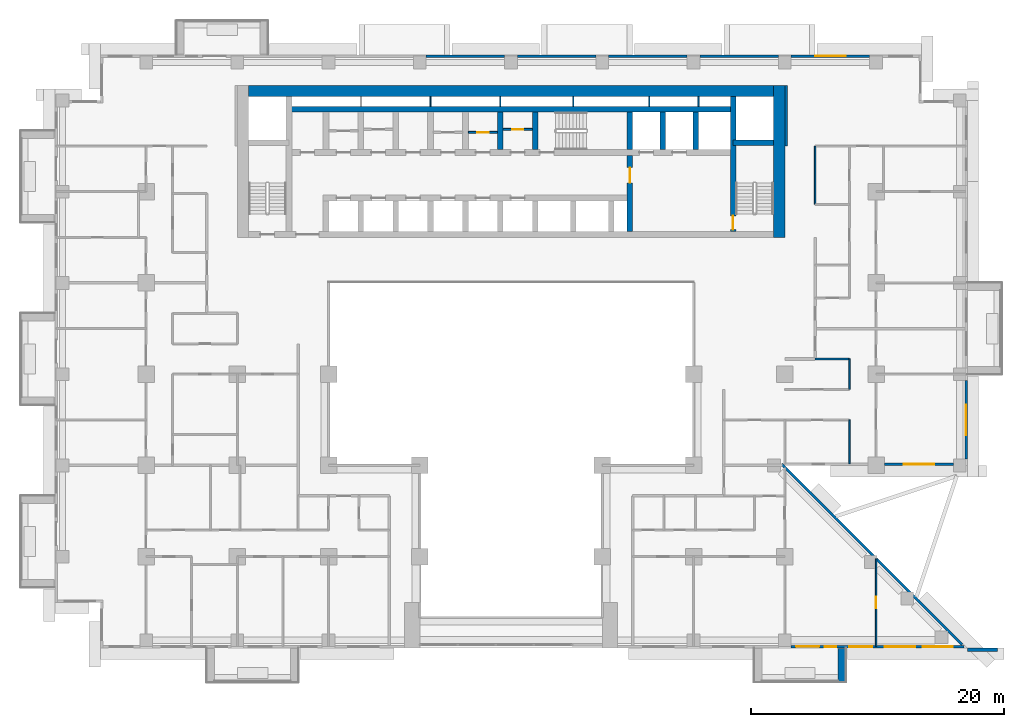
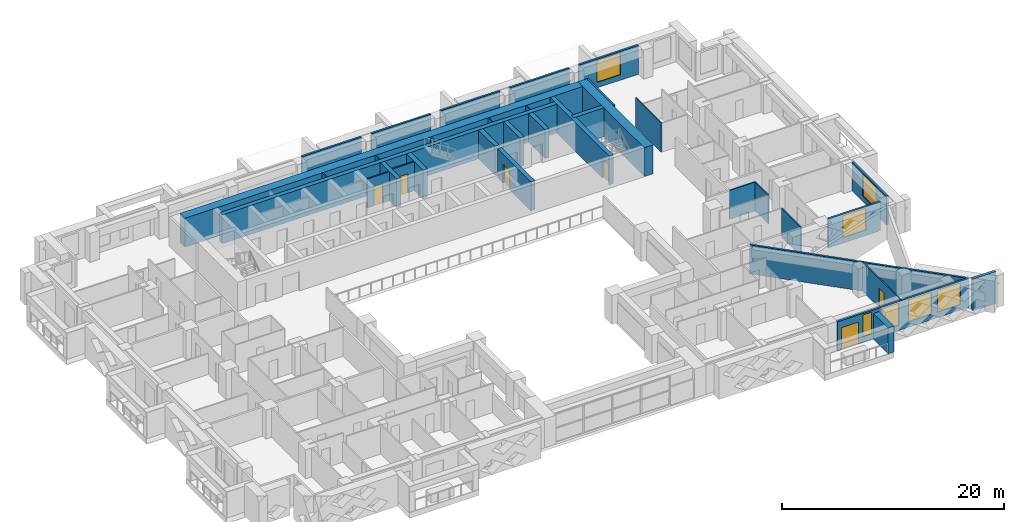
# One storey, part 11 of 17: 35 walls, 7 windows, 6 doors, 13 openings.
"""IFC4 building model written with IfcOpenShell, lengths in metres."""

from ifc_helpers import new_model, si_unit, direction, frame, frame_2d, origin, place, context, subcontext, project, spatial, rectangle, extrude, material, layer, layer_set, type_object, element, fill, save


model = new_model("IFC4")

# Units and contexts
model_context = context("Model", 3, precision=1e-05, world=origin(), true_north=direction((0.0, 1.0)))
body_context = subcontext(model_context, "Body", "Model", "MODEL_VIEW")
ifc_project = project(units=[si_unit("LENGTHUNIT", "METRE"), si_unit("AREAUNIT", "SQUARE_METRE"), si_unit("VOLUMEUNIT", "CUBIC_METRE"), si_unit("PLANEANGLEUNIT", "RADIAN"), si_unit("MASSUNIT", "GRAM", prefix="KILO")], contexts=[model_context])

# Site, building, storey
site_placement = place(None, origin())
site = spatial("IfcSite", under=ifc_project, at=site_placement, CompositionType="ELEMENT")
building_placement = place(site_placement, origin())
building = spatial("IfcBuilding", under=site, at=building_placement, Name="Saffron Iwan Residences", CompositionType="ELEMENT")
storey_placement = place(building_placement, frame((0.0, 0.0, 86.5)))
storey = spatial("IfcBuildingStorey", under=building, at=storey_placement, Name="L22", CompositionType="ELEMENT", Elevation=86.5)

# Wall
ifc_material_1 = material(Name="Concrete C50/60 white painted", Category="concrete")
ifc_layer_1 = layer(ifc_material_1, 0.60009765625)
ifc_layer_set_1 = layer_set([ifc_layer_1], Name="Concrete C50/60 white painted")
wall_type_1 = type_object("IfcWallType", Name="BALCONY FIN 600", PredefinedType="SOLIDWALL", material=ifc_layer_set_1)
wall_1_placement = place(storey_placement, frame((76.5, 33.550048828125, 0.0), z_axis=(0.0, 0.0, 1.0), x_axis=(0.0, -1.0, 0.0)))
element("IfcWall", 1, at=wall_1_placement, inside=storey, type_object=wall_type_1, Name="Balcony fin L22 11-1b", PredefinedType="SOLIDWALL", context=body_context, shape_type="SweptSolid", body=[
    extrude(rectangle(XDim=2.650146484375, YDim=0.60009765625, at=frame_2d((1.3251953125, 0.0))), origin(), (0.0, 0.0, 1.0), 2.85009765625),
])

# Wall, opening, door
ifc_material_2 = material(Name="Fire-rated plasterboard partition")
ifc_layer_2 = layer(ifc_material_2, 0.14990234375)
ifc_layer_set_2 = layer_set([ifc_layer_2], Name="Fire-rated plasterboard partition")
wall_type_2 = type_object("IfcWallType", Name="Core partition 150", PredefinedType="PARTITIONING", material=ifc_layer_set_2)
wall_2_placement = place(storey_placement, frame((47.02490234375, 74.281982421875, 0.0), z_axis=(0.0, 0.0, 1.0), x_axis=(1.0, 0.0, 0.0)))
wall_2 = element("IfcWall", 2, at=wall_2_placement, inside=storey, type_object=wall_type_2, Name="Core partition P04", PredefinedType="PARTITIONING", context=body_context, shape_type="SweptSolid", body=[
    extrude(rectangle(XDim=2.300048828125, YDim=0.14990234375, at=frame_2d((1.14990234375, 0.0))), origin(), (0.0, 0.0, 1.0), 3.179931640625),
])
opening_1_placement = place(wall_2_placement, frame((0.699951171875, 0.0, 0.0)))
opening_1 = element("IfcOpeningElement", 3, at=opening_1_placement, cuts=wall_2, Name="Opening SB", PredefinedType="OPENING", context=body_context, shape_type="SweptSolid", body=[
    extrude(rectangle(XDim=0.89990234375, YDim=2.10009765625, at=frame_2d((0.449951171875, 1.050048828125))), frame((0.0, 0.0849609375, 0.0), z_axis=(0.0, -1.0, 0.0), x_axis=(1.0, 0.0, 0.0)), (0.0, 0.0, 1.0), 0.169921875),
])
ifc_material_3 = material(Name="Steel fire door", Category="steel")
door_type_1 = type_object("IfcDoorType", Name="Store door 900", OperationType="NOTDEFINED", PredefinedType="DOOR", material=ifc_material_3)
door_1_placement = place(opening_1_placement, origin())
door_1 = element("IfcDoor", 4, at=door_1_placement, inside=storey, type_object=door_type_1, Name="Door Stationery store", OperationType="SINGLE_SWING_LEFT", OverallHeight=2.10009765625, OverallWidth=0.89990234375, PredefinedType="DOOR", context=body_context, shape_type="SweptSolid", body=[
    extrude(rectangle(XDim=0.89990234375, YDim=2.10009765625, at=frame_2d((0.449951171875, 1.050048828125))), frame((0.0, 0.02490234375, 0.0), z_axis=(0.0, -1.0, 0.0), x_axis=(1.0, 0.0, 0.0)), (0.0, 0.0, 1.0), 0.050048828125),
])
fill(opening_1, door_1)

wall_3_placement = place(storey_placement, frame((49.77490234375, 74.51806640625, 0.0), z_axis=(0.0, 0.0, 1.0), x_axis=(1.0, 0.0, 0.0)))
wall_3 = element("IfcWall", 5, at=wall_3_placement, inside=storey, type_object=wall_type_2, Name="Core partition P05", PredefinedType="PARTITIONING", context=body_context, shape_type="SweptSolid", body=[
    extrude(rectangle(XDim=2.300048828125, YDim=0.14990234375, at=frame_2d((1.14990234375, 0.0))), origin(), (0.0, 0.0, 1.0), 3.179931640625),
])
opening_2_placement = place(wall_3_placement, frame((0.699951171875, 0.0, 0.0)))
opening_2 = element("IfcOpeningElement", 6, at=opening_2_placement, cuts=wall_3, Name="Opening SB", PredefinedType="OPENING", context=body_context, shape_type="SweptSolid", body=[
    extrude(rectangle(XDim=0.89990234375, YDim=2.10009765625, at=frame_2d((0.449951171875, 1.050048828125))), frame((0.0, 0.0849609375, 0.0), z_axis=(0.0, -1.0, 0.0), x_axis=(1.0, 0.0, 0.0)), (0.0, 0.0, 1.0), 0.169921875),
])
door_2_placement = place(opening_2_placement, origin())
door_2 = element("IfcDoor", 7, at=door_2_placement, inside=storey, type_object=door_type_1, Name="Door Tool store", OperationType="SINGLE_SWING_LEFT", OverallHeight=2.10009765625, OverallWidth=0.89990234375, PredefinedType="DOOR", context=body_context, shape_type="SweptSolid", body=[
    extrude(rectangle(XDim=0.89990234375, YDim=2.10009765625, at=frame_2d((0.449951171875, 1.050048828125))), frame((0.0, 0.02490234375, 0.0), z_axis=(0.0, -1.0, 0.0), x_axis=(1.0, 0.0, 0.0)), (0.0, 0.0, 1.0), 0.050048828125),
])
fill(opening_2, door_2)

# Wall
ifc_material_4 = material(Name="Concrete C40/50", Category="concrete")
ifc_layer_3 = layer(ifc_material_4, 0.199951171875)
ifc_layer_set_3 = layer_set([ifc_layer_3], Name="Concrete C40/50")
wall_type_3 = type_object("IfcWallType", Name="EXTERNAL WALL 200", PredefinedType="SOLIDWALL", material=ifc_layer_set_3)
wall_4_placement = place(storey_placement, frame((85.995849609375, 33.862548828125, 0.0), z_axis=(0.0, 0.0, 1.0), x_axis=(-0.707100718496, 0.707112843825, 0.0)))
element("IfcWall", 8, at=wall_4_placement, inside=storey, type_object=wall_type_3, Name="External wall L22 F0.0", PredefinedType="SOLIDWALL", context=body_context, shape_type="SweptSolid", body=[
    extrude(rectangle(XDim=20.134765625, YDim=0.199951171875, at=frame_2d((10.0673828125, 0.0))), origin(), (0.0, 0.0, 1.0), 3.179931640625),
])

# Wall, opening, window
wall_5_placement = place(storey_placement, frame((79.85009765625, 48.10009765625, 0.0), z_axis=(0.0, 0.0, 1.0), x_axis=(1.0, 0.0, 0.0)))
wall_5 = element("IfcWall", 9, at=wall_5_placement, inside=storey, type_object=wall_type_3, Name="External wall L22 F1.1", PredefinedType="SOLIDWALL", context=body_context, shape_type="SweptSolid", body=[
    extrude(rectangle(XDim=5.449951171875, YDim=0.199951171875, at=frame_2d((2.72509765625, 0.0))), origin(), (0.0, 0.0, 1.0), 3.179931640625),
])
opening_3_placement = place(wall_5_placement, frame((1.52490234375, 0.0, 0.60009765625)))
opening_3 = element("IfcOpeningElement", 10, at=opening_3_placement, cuts=wall_5, Name="Opening W1", PredefinedType="OPENING", context=body_context, shape_type="SweptSolid", body=[
    extrude(rectangle(XDim=2.39990234375, YDim=2.39990234375, at=frame_2d((1.199951171875, 1.199951171875))), frame((0.0, 0.10986328125, 0.0), z_axis=(0.0, -1.0, 0.0), x_axis=(1.0, 0.0, 0.0)), (0.0, 0.0, 1.0), 0.219970703125),
])
ifc_material_5 = material(Name="Clear glass, laminated double glazed", Category="glass")
window_type_1 = type_object("IfcWindowType", Name="WINDOW 2400 x 2400", PartitioningType="DOUBLE_PANEL_VERTICAL", PredefinedType="WINDOW", material=ifc_material_5)
window_1_placement = place(opening_3_placement, origin())
window_1 = element("IfcWindow", 11, at=window_1_placement, inside=storey, type_object=window_type_1, Name="Window L22 F1.0", OverallHeight=2.39990234375, OverallWidth=2.39990234375, PartitioningType="DOUBLE_PANEL_VERTICAL", PredefinedType="WINDOW", context=body_context, shape_type="SweptSolid", body=[
    extrude(rectangle(XDim=2.39990234375, YDim=2.39990234375, at=frame_2d((1.199951171875, 1.199951171875))), frame((0.0, 0.030029296875, 0.0), z_axis=(0.0, -1.0, 0.0), x_axis=(1.0, 0.0, 0.0)), (0.0, 0.0, 1.0), 0.06005859375),
])
fill(opening_3, window_1)

wall_6_placement = place(storey_placement, frame((86.300048828125, 48.5, 0.0), z_axis=(0.0, 0.0, 1.0), x_axis=(0.0, 1.0, 0.0)))
wall_6 = element("IfcWall", 12, at=wall_6_placement, inside=storey, type_object=wall_type_3, Name="External wall L22 F2.0", PredefinedType="SOLIDWALL", context=body_context, shape_type="SweptSolid", body=[
    extrude(rectangle(XDim=6.199951171875, YDim=0.199951171875, at=frame_2d((3.10009765625, 0.0))), origin(), (0.0, 0.0, 1.0), 3.179931640625),
])
opening_4_placement = place(wall_6_placement, frame((1.89990234375, 0.0, 0.60009765625)))
opening_4 = element("IfcOpeningElement", 13, at=opening_4_placement, cuts=wall_6, Name="Opening W1", PredefinedType="OPENING", context=body_context, shape_type="SweptSolid", body=[
    extrude(rectangle(XDim=2.39990234375, YDim=2.39990234375, at=frame_2d((1.199951171875, 1.199951171875))), frame((0.0, 0.10986328125, 0.0), z_axis=(0.0, -1.0, 0.0), x_axis=(1.0, 0.0, 0.0)), (0.0, 0.0, 1.0), 0.219970703125),
])
window_2_placement = place(opening_4_placement, origin())
window_2 = element("IfcWindow", 14, at=window_2_placement, inside=storey, type_object=window_type_1, Name="Window L22 F2.0", OverallHeight=2.39990234375, OverallWidth=2.39990234375, PartitioningType="DOUBLE_PANEL_VERTICAL", PredefinedType="WINDOW", context=body_context, shape_type="SweptSolid", body=[
    extrude(rectangle(XDim=2.39990234375, YDim=2.39990234375, at=frame_2d((1.199951171875, 1.199951171875))), frame((0.0, 0.030029296875, 0.0), z_axis=(0.0, -1.0, 0.0), x_axis=(1.0, 0.0, 0.0)), (0.0, 0.0, 1.0), 0.06005859375),
])
fill(opening_4, window_2)

wall_7_placement = place(storey_placement, frame((78.699951171875, 80.300048828125, 0.0), z_axis=(0.0, 0.0, 1.0), x_axis=(-1.0, 0.0, 0.0)))
wall_7 = element("IfcWall", 15, at=wall_7_placement, inside=storey, type_object=wall_type_3, Name="External wall L22 F5.1", PredefinedType="SOLIDWALL", context=body_context, shape_type="SweptSolid", body=[
    extrude(rectangle(XDim=6.199951171875, YDim=0.199951171875, at=frame_2d((3.10009765625, 0.0))), origin(), (0.0, 0.0, 1.0), 3.179931640625),
])
opening_5_placement = place(wall_7_placement, frame((1.89990234375, 0.0, 0.60009765625)))
opening_5 = element("IfcOpeningElement", 16, at=opening_5_placement, cuts=wall_7, Name="Opening W1", PredefinedType="OPENING", context=body_context, shape_type="SweptSolid", body=[
    extrude(rectangle(XDim=2.39990234375, YDim=2.39990234375, at=frame_2d((1.199951171875, 1.199951171875))), frame((0.0, 0.10986328125, 0.0), z_axis=(0.0, -1.0, 0.0), x_axis=(1.0, 0.0, 0.0)), (0.0, 0.0, 1.0), 0.219970703125),
])
window_3_placement = place(opening_5_placement, origin())
window_3 = element("IfcWindow", 17, at=window_3_placement, inside=storey, type_object=window_type_1, Name="Window L22 F5.0", OverallHeight=2.39990234375, OverallWidth=2.39990234375, PartitioningType="DOUBLE_PANEL_VERTICAL", PredefinedType="WINDOW", context=body_context, shape_type="SweptSolid", body=[
    extrude(rectangle(XDim=2.39990234375, YDim=2.39990234375, at=frame_2d((1.199951171875, 1.199951171875))), frame((0.0, 0.030029296875, 0.0), z_axis=(0.0, -1.0, 0.0), x_axis=(1.0, 0.0, 0.0)), (0.0, 0.0, 1.0), 0.06005859375),
])
fill(opening_5, window_3)

# Walls
for number, where, z_axis, x_axis, name in (
    (18, (71.5, 80.300048828125, 0.0), (0.0, 0.0, 1.0), (-1.0, 0.0, 0.0), "External wall L22 F5.2"),
    (19, (64.300048828125, 80.300048828125, 0.0), (0.0, 0.0, 1.0), (-1.0, 0.0, 0.0), "External wall L22 F5.3"),
):
    element("IfcWall", number, at=place(storey_placement, frame(where, z_axis=z_axis, x_axis=x_axis)), inside=storey, type_object=wall_type_3, Name=name, PredefinedType="SOLIDWALL", context=body_context, shape_type="SweptSolid", body=[
        extrude(rectangle(XDim=6.199951171875, YDim=0.199951171875, at=frame_2d((3.10009765625, 0.0))), origin(), (0.0, 0.0, 1.0), 3.179931640625),
    ])
wall_8_placement = place(storey_placement, frame((57.10009765625, 80.300048828125, 0.0), z_axis=(0.0, 0.0, 1.0), x_axis=(-1.0, 0.0, 0.0)))
element("IfcWall", 20, at=wall_8_placement, inside=storey, type_object=wall_type_3, Name="External wall L22 F5.4", PredefinedType="SOLIDWALL", context=body_context, shape_type="SweptSolid", body=[
    extrude(rectangle(XDim=6.2001953125, YDim=0.199951171875, at=frame_2d((3.10009765625, 0.0))), origin(), (0.0, 0.0, 1.0), 3.179931640625),
])
wall_9_placement = place(storey_placement, frame((49.89990234375, 80.300048828125, 0.0), z_axis=(0.0, 0.0, 1.0), x_axis=(-1.0, 0.0, 0.0)))
element("IfcWall", 21, at=wall_9_placement, inside=storey, type_object=wall_type_3, Name="External wall L22 F5.5", PredefinedType="SOLIDWALL", context=body_context, shape_type="SweptSolid", body=[
    extrude(rectangle(XDim=6.199951171875, YDim=0.199951171875, at=frame_2d((3.10009765625, 0.0))), origin(), (0.0, 0.0, 1.0), 3.179931640625),
])

# Wall, openings, door, windows
wall_10_placement = place(storey_placement, frame((72.5, 33.699951171875, 0.0), z_axis=(0.0, 0.0, 1.0), x_axis=(1.0, 0.0, 0.0)))
wall_10 = element("IfcWall", 22, at=wall_10_placement, inside=storey, type_object=wall_type_3, Name="External wall L22 F11.6", PredefinedType="SOLIDWALL", context=body_context, shape_type="SweptSolid", body=[
    extrude(rectangle(XDim=13.65869140625, YDim=0.199951171875, at=frame_2d((6.829345703125, 0.0))), origin(), (0.0, 0.0, 1.0), 3.179931640625),
])
opening_6_placement = place(wall_10_placement, frame((0.39990234375, 0.0, 0.0)))
opening_6 = element("IfcOpeningElement", 23, at=opening_6_placement, cuts=wall_10, Name="Opening BD1", PredefinedType="OPENING", context=body_context, shape_type="SweptSolid", body=[
    extrude(rectangle(XDim=1.800048828125, YDim=2.39990234375, at=frame_2d((0.89990234375, 1.199951171875))), frame((0.0, 0.10986328125, 0.0), z_axis=(0.0, -1.0, 0.0), x_axis=(1.0, 0.0, 0.0)), (0.0, 0.0, 1.0), 0.219970703125),
])
opening_7_placement = place(wall_10_placement, frame((2.64990234375, 0.0, 0.60009765625)))
opening_7 = element("IfcOpeningElement", 24, at=opening_7_placement, cuts=wall_10, Name="Opening W10", PredefinedType="OPENING", context=body_context, shape_type="SweptSolid", body=[
    extrude(rectangle(XDim=0.89990234375, YDim=2.39990234375, at=frame_2d((0.449951171875, 1.199951171875))), frame((0.0, 0.10986328125, 0.0), z_axis=(0.0, -1.0, 0.0), x_axis=(1.0, 0.0, 0.0)), (0.0, 0.0, 1.0), 0.219970703125),
])
opening_8_placement = place(wall_10_placement, frame((4.60009765625, 0.0, 0.60009765625)))
opening_8 = element("IfcOpeningElement", 25, at=opening_8_placement, cuts=wall_10, Name="Opening W8", PredefinedType="OPENING", context=body_context, shape_type="SweptSolid", body=[
    extrude(rectangle(XDim=1.800048828125, YDim=2.39990234375, at=frame_2d((0.89990234375, 1.199951171875))), frame((0.0, 0.10986328125, 0.0), z_axis=(0.0, -1.0, 0.0), x_axis=(1.0, 0.0, 0.0)), (0.0, 0.0, 1.0), 0.219970703125),
])
opening_9_placement = place(wall_10_placement, frame((7.38623046875, 0.0, 0.60009765625)))
opening_9 = element("IfcOpeningElement", 26, at=opening_9_placement, cuts=wall_10, Name="Opening W1", PredefinedType="OPENING", context=body_context, shape_type="SweptSolid", body=[
    extrude(rectangle(XDim=2.39990234375, YDim=2.39990234375, at=frame_2d((1.199951171875, 1.199951171875))), frame((0.0, 0.10986328125, 0.0), z_axis=(0.0, -1.0, 0.0), x_axis=(1.0, 0.0, 0.0)), (0.0, 0.0, 1.0), 0.219970703125),
])
opening_10_placement = place(wall_10_placement, frame((10.372314453125, 0.0, 0.60009765625)))
opening_10 = element("IfcOpeningElement", 27, at=opening_10_placement, cuts=wall_10, Name="Opening W1", PredefinedType="OPENING", context=body_context, shape_type="SweptSolid", body=[
    extrude(rectangle(XDim=2.39990234375, YDim=2.39990234375, at=frame_2d((1.199951171875, 1.199951171875))), frame((0.0, 0.10986328125, 0.0), z_axis=(0.0, -1.0, 0.0), x_axis=(1.0, 0.0, 0.0)), (0.0, 0.0, 1.0), 0.219970703125),
])
door_type_2 = type_object("IfcDoorType", Name="BALCONY DOOR 1800 x 2400", OperationType="DOUBLE_DOOR_SLIDING", PredefinedType="DOOR", material=ifc_material_5)
door_3_placement = place(opening_6_placement, origin())
door_3 = element("IfcDoor", 28, at=door_3_placement, inside=storey, type_object=door_type_2, Name="Balcony door L22 F11.0", OperationType="DOUBLE_DOOR_SLIDING", OverallHeight=2.39990234375, OverallWidth=1.800048828125, PredefinedType="DOOR", context=body_context, shape_type="SweptSolid", body=[
    extrude(rectangle(XDim=1.800048828125, YDim=2.39990234375, at=frame_2d((0.89990234375, 1.199951171875))), frame((0.0, 0.02490234375, 0.0), z_axis=(0.0, -1.0, 0.0), x_axis=(1.0, 0.0, 0.0)), (0.0, 0.0, 1.0), 0.050048828125),
])
fill(opening_6, door_3)
window_type_2 = type_object("IfcWindowType", Name="WINDOW 1800 x 2400", PartitioningType="DOUBLE_PANEL_VERTICAL", PredefinedType="WINDOW", material=ifc_material_5)
window_4_placement = place(opening_8_placement, origin())
window_4 = element("IfcWindow", 29, at=window_4_placement, inside=storey, type_object=window_type_2, Name="Window L22 F11.2", OverallHeight=2.39990234375, OverallWidth=1.800048828125, PartitioningType="DOUBLE_PANEL_VERTICAL", PredefinedType="WINDOW", context=body_context, shape_type="SweptSolid", body=[
    extrude(rectangle(XDim=1.800048828125, YDim=2.39990234375, at=frame_2d((0.89990234375, 1.199951171875))), frame((0.0, 0.030029296875, 0.0), z_axis=(0.0, -1.0, 0.0), x_axis=(1.0, 0.0, 0.0)), (0.0, 0.0, 1.0), 0.06005859375),
])
fill(opening_8, window_4)
window_5_placement = place(opening_9_placement, origin())
window_5 = element("IfcWindow", 30, at=window_5_placement, inside=storey, type_object=window_type_1, Name="Window L22 F11.3", OverallHeight=2.39990234375, OverallWidth=2.39990234375, PartitioningType="DOUBLE_PANEL_VERTICAL", PredefinedType="WINDOW", context=body_context, shape_type="SweptSolid", body=[
    extrude(rectangle(XDim=2.39990234375, YDim=2.39990234375, at=frame_2d((1.199951171875, 1.199951171875))), frame((0.0, 0.030029296875, 0.0), z_axis=(0.0, -1.0, 0.0), x_axis=(1.0, 0.0, 0.0)), (0.0, 0.0, 1.0), 0.06005859375),
])
fill(opening_9, window_5)
window_6_placement = place(opening_10_placement, origin())
window_6 = element("IfcWindow", 31, at=window_6_placement, inside=storey, type_object=window_type_1, Name="Window L22 F11.4", OverallHeight=2.39990234375, OverallWidth=2.39990234375, PartitioningType="DOUBLE_PANEL_VERTICAL", PredefinedType="WINDOW", context=body_context, shape_type="SweptSolid", body=[
    extrude(rectangle(XDim=2.39990234375, YDim=2.39990234375, at=frame_2d((1.199951171875, 1.199951171875))), frame((0.0, 0.030029296875, 0.0), z_axis=(0.0, -1.0, 0.0), x_axis=(1.0, 0.0, 0.0)), (0.0, 0.0, 1.0), 0.06005859375),
])
fill(opening_10, window_6)
window_type_3 = type_object("IfcWindowType", Name="WINDOW 900 x 2400", PartitioningType="SINGLE_PANEL", PredefinedType="WINDOW", material=ifc_material_5)
window_7_placement = place(opening_7_placement, origin())
window_7 = element("IfcWindow", 32, at=window_7_placement, inside=storey, type_object=window_type_3, Name="Window L22 F11.1", OverallHeight=2.39990234375, OverallWidth=0.89990234375, PartitioningType="SINGLE_PANEL", PredefinedType="WINDOW", context=body_context, shape_type="SweptSolid", body=[
    extrude(rectangle(XDim=0.89990234375, YDim=2.39990234375, at=frame_2d((0.449951171875, 1.199951171875))), frame((0.0, 0.030029296875, 0.0), z_axis=(0.0, -1.0, 0.0), x_axis=(1.0, 0.0, 0.0)), (0.0, 0.0, 1.0), 0.06005859375),
])
fill(opening_7, window_7)

# Walls
ifc_material_6 = material(Name="Gypsum board partition")
ifc_layer_4 = layer(ifc_material_6, 0.1201171875)
ifc_layer_set_4 = layer_set([ifc_layer_4], Name="Gypsum board partition")
wall_type_4 = type_object("IfcWallType", Name="Flat partition 120", PredefinedType="PARTITIONING", material=ifc_layer_set_4)
wall_11_placement = place(storey_placement, frame((74.39990234375, 56.39990234375, 0.0), z_axis=(0.0, 0.0, 1.0), x_axis=(1.0, 0.0, 0.0)))
element("IfcWall", 33, at=wall_11_placement, inside=storey, type_object=wall_type_4, Name="W-L22-PART-h56.4-74.4", PredefinedType="PARTITIONING", context=body_context, shape_type="SweptSolid", body=[
    extrude(rectangle(XDim=2.7001953125, YDim=0.1201171875, at=frame_2d((1.35009765625, 0.0))), origin(), (0.0, 0.0, 1.0), 3.179931640625),
])
wall_12_placement = place(storey_placement, frame((74.39990234375, 68.60009765625, 0.0), z_axis=(0.0, 0.0, 1.0), x_axis=(0.0, 1.0, 0.0)))
element("IfcWall", 34, at=wall_12_placement, inside=storey, type_object=wall_type_4, Name="W-L22-PART-v74.4-68.6", PredefinedType="PARTITIONING", context=body_context, shape_type="SweptSolid", body=[
    extrude(rectangle(XDim=4.599853515625, YDim=0.1201171875, at=frame_2d((2.2998046875, 0.0))), origin(), (0.0, 0.0, 1.0), 3.179931640625),
])
wall_13_placement = place(storey_placement, frame((77.10009765625, 48.125, 0.0), z_axis=(0.0, 0.0, 1.0), x_axis=(0.0, 1.0, 0.0)))
element("IfcWall", 35, at=wall_13_placement, inside=storey, type_object=wall_type_4, Name="W-L22-PART-v77.1-48.125", PredefinedType="PARTITIONING", context=body_context, shape_type="SweptSolid", body=[
    extrude(rectangle(XDim=3.47509765625, YDim=0.1201171875, at=frame_2d((1.737548828125, 0.0))), origin(), (0.0, 0.0, 1.0), 3.179931640625),
])
wall_14_placement = place(storey_placement, frame((77.10009765625, 54.0, 0.0), z_axis=(0.0, 0.0, 1.0), x_axis=(0.0, 1.0, 0.0)))
element("IfcWall", 36, at=wall_14_placement, inside=storey, type_object=wall_type_4, Name="W-L22-PART-v77.1-54", PredefinedType="PARTITIONING", context=body_context, shape_type="SweptSolid", body=[
    extrude(rectangle(XDim=2.39990234375, YDim=0.1201171875, at=frame_2d((1.199951171875, 0.0))), origin(), (0.0, 0.0, 1.0), 3.179931640625),
])

# Wall, opening, door
wall_15_placement = place(storey_placement, frame((79.199951171875, 33.72509765625, 0.0), z_axis=(0.0, 0.0, 1.0), x_axis=(0.0, 1.0, 0.0)))
wall_15 = element("IfcWall", 37, at=wall_15_placement, inside=storey, type_object=wall_type_4, Name="W-L22-PART-v79.2-33.725", PredefinedType="PARTITIONING", context=body_context, shape_type="SweptSolid", body=[
    extrude(rectangle(XDim=6.89794921875, YDim=0.1201171875, at=frame_2d((3.448974609375, 0.0))), origin(), (0.0, 0.0, 1.0), 3.179931640625),
])
opening_11_placement = place(wall_15_placement, frame((2.9990234375, 0.0, 0.0)))
opening_11 = element("IfcOpeningElement", 38, at=opening_11_placement, cuts=wall_15, Name="Opening FD2", PredefinedType="OPENING", context=body_context, shape_type="SweptSolid", body=[
    extrude(rectangle(XDim=0.89990234375, YDim=2.10009765625, at=frame_2d((0.449951171875, 1.050048828125))), frame((0.0, 0.070068359375, 0.0), z_axis=(0.0, -1.0, 0.0), x_axis=(1.0, 0.0, 0.0)), (0.0, 0.0, 1.0), 0.14013671875),
])
ifc_material_7 = material(Name="Timber door", Category="wood")
door_type_3 = type_object("IfcDoorType", Name="Flat door 900", OperationType="NOTDEFINED", PredefinedType="DOOR", material=ifc_material_7)
door_4_placement = place(opening_11_placement, origin())
door_4 = element("IfcDoor", 39, at=door_4_placement, inside=storey, type_object=door_type_3, Name="Door L22-050", OperationType="SINGLE_SWING_LEFT", OverallHeight=2.10009765625, OverallWidth=0.89990234375, PredefinedType="DOOR", context=body_context, shape_type="SweptSolid", body=[
    extrude(rectangle(XDim=0.89990234375, YDim=2.10009765625, at=frame_2d((0.449951171875, 1.050048828125))), frame((0.0, 0.02490234375, 0.0), z_axis=(0.0, -1.0, 0.0), x_axis=(1.0, 0.0, 0.0)), (0.0, 0.0, 1.0), 0.050048828125),
])
fill(opening_11, door_4)

# Walls
ifc_material_8 = material(Name="Fire-rated gypsum board wall")
ifc_layer_5 = layer(ifc_material_8, 0.199951171875)
ifc_layer_set_5 = layer_set([ifc_layer_5], Name="Fire-rated gypsum board wall")
wall_type_5 = type_object("IfcWallType", Name="Gallery wall 200", PredefinedType="SOLIDWALL", material=ifc_layer_set_5)
wall_16_placement = place(storey_placement, frame((72.10009765625, 73.199951171875, 0.0), z_axis=(0.0, 0.0, 1.0), x_axis=(0.0, 1.0, 0.0)))
element("IfcWall", 40, at=wall_16_placement, inside=storey, type_object=wall_type_5, Name="W-L22-CORR-v72-73.2", PredefinedType="SOLIDWALL", context=body_context, shape_type="SweptSolid", body=[
    extrude(rectangle(XDim=4.800048828125, YDim=0.199951171875, at=frame_2d((2.39990234375, 0.0))), origin(), (0.0, 0.0, 1.0), 3.179931640625),
])
ifc_layer_6 = layer(ifc_material_1, 0.300048828125)
ifc_layer_set_6 = layer_set([ifc_layer_6], Name="Concrete C50/60 white painted")
wall_type_6 = type_object("IfcWallType", Name="PROW BLADE 300", PredefinedType="SOLIDWALL", material=ifc_layer_set_6)
wall_17_placement = place(storey_placement, frame((86.39990234375, 33.449951171875, -0.320068359375), z_axis=(0.0, 0.0, 1.0), x_axis=(1.0, 0.0, 0.0)))
element("IfcWall", 41, at=wall_17_placement, inside=storey, type_object=wall_type_6, Name="Prow blade L22", PredefinedType="SOLIDWALL", context=body_context, shape_type="SweptSolid", body=[
    extrude(rectangle(XDim=2.400146484375, YDim=0.300048828125, at=frame_2d((1.2001953125, 0.0))), origin(), (0.0, 0.0, 1.0), 3.5),
])
ifc_layer_7 = layer(ifc_material_2, 0.10009765625)
ifc_layer_set_7 = layer_set([ifc_layer_7], Name="Fire-rated plasterboard partition")
wall_type_7 = type_object("IfcWallType", Name="Riser partition 100", PredefinedType="PARTITIONING", material=ifc_layer_set_7)
for number, where, z_axis, x_axis, name in (
    (42, (44.050048828125, 76.324951171875, 0.0), (0.0, 0.0, 1.0), (0.0, 1.0, 0.0), "Core partition P07"),
    (43, (49.550048828125, 76.324951171875, 0.0), (0.0, 0.0, 1.0), (0.0, 1.0, 0.0), "Core partition P08"),
    (44, (55.300048828125, 76.324951171875, 0.0), (0.0, 0.0, 1.0), (0.0, 1.0, 0.0), "Core partition P09"),
    (45, (61.300048828125, 76.324951171875, 0.0), (0.0, 0.0, 1.0), (0.0, 1.0, 0.0), "Core partition P10"),
    (46, (65.199951171875, 76.324951171875, 0.0), (0.0, 0.0, 1.0), (0.0, 1.0, 0.0), "Core partition P11"),
):
    element("IfcWall", number, at=place(storey_placement, frame(where, z_axis=z_axis, x_axis=x_axis)), inside=storey, type_object=wall_type_7, Name=name, PredefinedType="PARTITIONING", context=body_context, shape_type="SweptSolid", body=[
        extrude(rectangle(XDim=0.775146484375, YDim=0.10009765625, at=frame_2d((0.3876953125, 0.0))), origin(), (0.0, 0.0, 1.0), 3.179931640625),
    ])
ifc_material_9 = material(Name="Concrete C60/75", Category="concrete")
ifc_layer_8 = layer(ifc_material_9, 0.449951171875)
ifc_layer_set_8 = layer_set([ifc_layer_8], Name="Concrete C60/75")
wall_type_8 = type_object("IfcWallType", Name="WALL CORE 450 C60/75 3180 HIGH", PredefinedType="SHEAR", material=ifc_layer_set_8)
wall_18_placement = place(storey_placement, frame((32.875, 76.10009765625, 0.0), z_axis=(0.0, 0.0, 1.0), x_axis=(1.0, 0.0, 0.0)))
element("IfcWall", 47, at=wall_18_placement, inside=storey, type_object=wall_type_8, Name="Core wall", PredefinedType="SHEAR", context=body_context, shape_type="SweptSolid", body=[
    extrude(rectangle(XDim=35.050048828125, YDim=0.449951171875, at=frame_2d((17.52490234375, 0.0))), origin(), (0.0, 0.0, 1.0), 3.179931640625),
])
wall_19_placement = place(storey_placement, frame((67.925048828125, 73.47509765625, 0.0), z_axis=(0.0, 0.0, 1.0), x_axis=(1.0, 0.0, 0.0)))
element("IfcWall", 48, at=wall_19_placement, inside=storey, type_object=wall_type_8, Name="Core wall", PredefinedType="SHEAR", context=body_context, shape_type="SweptSolid", body=[
    extrude(rectangle(XDim=3.175048828125, YDim=0.449951171875, at=frame_2d((1.58740234375, 0.0))), origin(), (0.0, 0.0, 1.0), 3.179931640625),
])

# Wall, opening, door
wall_20_placement = place(storey_placement, frame((67.925048828125, 66.449951171875, 0.0), z_axis=(0.0, 0.0, 1.0), x_axis=(0.0, 1.0, 0.0)))
wall_20 = element("IfcWall", 49, at=wall_20_placement, inside=storey, type_object=wall_type_8, Name="Core wall", PredefinedType="SHEAR", context=body_context, shape_type="SweptSolid", body=[
    extrude(rectangle(XDim=10.650146484375, YDim=0.449951171875, at=frame_2d((5.3251953125, 0.0))), origin(), (0.0, 0.0, 1.0), 3.179931640625),
])
opening_12_placement = place(wall_20_placement, frame((0.14990234375, 0.0, 0.0)))
opening_12 = element("IfcOpeningElement", 50, at=opening_12_placement, cuts=wall_20, Name="Opening SD", PredefinedType="OPENING", context=body_context, shape_type="SweptSolid", body=[
    extrude(rectangle(XDim=1.10009765625, YDim=2.10009765625, at=frame_2d((0.550048828125, 1.050048828125))), frame((0.0, 0.23486328125, 0.0), z_axis=(0.0, -1.0, 0.0), x_axis=(1.0, 0.0, 0.0)), (0.0, 0.0, 1.0), 0.469970703125),
])
door_type_4 = type_object("IfcDoorType", Name="Stair door 1100", OperationType="NOTDEFINED", PredefinedType="DOOR", material=ifc_material_3)
door_5_placement = place(opening_12_placement, origin())
door_5 = element("IfcDoor", 51, at=door_5_placement, inside=storey, type_object=door_type_4, Name="Stair door ST-E", OperationType="SINGLE_SWING_LEFT", OverallHeight=2.10009765625, OverallWidth=1.10009765625, PredefinedType="DOOR", context=body_context, shape_type="SweptSolid", body=[
    extrude(rectangle(XDim=1.10009765625, YDim=2.10009765625, at=frame_2d((0.550048828125, 1.050048828125))), frame((0.0, 0.02490234375, 0.0), z_axis=(0.0, -1.0, 0.0), x_axis=(1.0, 0.0, 0.0)), (0.0, 0.0, 1.0), 0.050048828125),
])
fill(opening_12, door_5)

wall_21_placement = place(storey_placement, frame((59.77490234375, 66.449951171875, 0.0), z_axis=(0.0, 0.0, 1.0), x_axis=(0.0, 1.0, 0.0)))
wall_21 = element("IfcWall", 52, at=wall_21_placement, inside=storey, type_object=wall_type_8, Name="Core wall", PredefinedType="SHEAR", context=body_context, shape_type="SweptSolid", body=[
    extrude(rectangle(XDim=6.025146484375, YDim=0.449951171875, at=frame_2d((3.0126953125, 0.0))), origin(), (0.0, 0.0, 1.0), 3.179931640625),
])
opening_13_placement = place(wall_21_placement, frame((3.85009765625, 0.0, 0.0)))
opening_13 = element("IfcOpeningElement", 53, at=opening_13_placement, cuts=wall_21, Name="Opening FD", PredefinedType="OPENING", context=body_context, shape_type="SweptSolid", body=[
    extrude(rectangle(XDim=1.199951171875, YDim=2.10009765625, at=frame_2d((0.60009765625, 1.050048828125))), frame((0.0, 0.23486328125, 0.0), z_axis=(0.0, -1.0, 0.0), x_axis=(1.0, 0.0, 0.0)), (0.0, 0.0, 1.0), 0.469970703125),
])
door_type_5 = type_object("IfcDoorType", Name="Firefighting lobby door 1200", OperationType="NOTDEFINED", PredefinedType="DOOR", material=ifc_material_3)
door_6_placement = place(opening_13_placement, origin())
door_6 = element("IfcDoor", 54, at=door_6_placement, inside=storey, type_object=door_type_5, Name="Firefighting lobby door", OperationType="SINGLE_SWING_RIGHT", OverallHeight=2.10009765625, OverallWidth=1.199951171875, PredefinedType="DOOR", context=body_context, shape_type="SweptSolid", body=[
    extrude(rectangle(XDim=1.199951171875, YDim=2.10009765625, at=frame_2d((0.60009765625, 1.050048828125))), frame((0.0, 0.02490234375, 0.0), z_axis=(0.0, -1.0, 0.0), x_axis=(1.0, 0.0, 0.0)), (0.0, 0.0, 1.0), 0.050048828125),
])
fill(opening_13, door_6)

# Walls
for number, where, z_axis, x_axis, name in (
    (55, (59.77490234375, 72.925048828125, 0.0), (0.0, 0.0, 1.0), (0.0, 1.0, 0.0), "Core wall"),
    (56, (49.550048828125, 72.925048828125, 0.0), (0.0, 0.0, 1.0), (0.0, 1.0, 0.0), "Core wall"),
    (57, (52.300048828125, 72.925048828125, 0.0), (0.0, 0.0, 1.0), (0.0, 1.0, 0.0), "Core wall"),
    (58, (62.375, 72.925048828125, 0.0), (0.0, 0.0, 1.0), (0.0, 1.0, 0.0), "Core wall"),
    (59, (64.97509765625, 72.925048828125, 0.0), (0.0, 0.0, 1.0), (0.0, 1.0, 0.0), "Core wall"),
):
    element("IfcWall", number, at=place(storey_placement, frame(where, z_axis=z_axis, x_axis=x_axis)), inside=storey, type_object=wall_type_8, Name=name, PredefinedType="SHEAR", context=body_context, shape_type="SweptSolid", body=[
        extrude(rectangle(XDim=2.949951171875, YDim=0.449951171875, at=frame_2d((1.47509765625, 0.0))), origin(), (0.0, 0.0, 1.0), 3.179931640625),
    ])
ifc_layer_9 = layer(ifc_material_9, 0.89990234375)
ifc_layer_set_9 = layer_set([ifc_layer_9], Name="Concrete C60/75")
wall_type_9 = type_object("IfcWallType", Name="WALL CORE 900 C60/75 3180 HIGH", PredefinedType="SHEAR", material=ifc_layer_set_9)
wall_22_placement = place(storey_placement, frame((71.550048828125, 66.0, 0.0), z_axis=(0.0, 0.0, 1.0), x_axis=(0.0, 1.0, 0.0)))
element("IfcWall", 60, at=wall_22_placement, inside=storey, type_object=wall_type_9, Name="Core wall", PredefinedType="SHEAR", context=body_context, shape_type="SweptSolid", body=[
    extrude(rectangle(XDim=12.0, YDim=0.89990234375, at=frame_2d((6.0, 0.0))), origin(), (0.0, 0.0, 1.0), 3.179931640625),
])
wall_23_placement = place(storey_placement, frame((29.699951171875, 77.550048828125, 0.0), z_axis=(0.0, 0.0, 1.0), x_axis=(1.0, 0.0, 0.0)))
element("IfcWall", 61, at=wall_23_placement, inside=storey, type_object=wall_type_9, Name="Core wall", PredefinedType="SHEAR", context=body_context, shape_type="SweptSolid", body=[
    extrude(rectangle(XDim=41.400146484375, YDim=0.89990234375, at=frame_2d((20.7001953125, 0.0))), origin(), (0.0, 0.0, 1.0), 3.179931640625),
])

save(model, "model.ifc")
